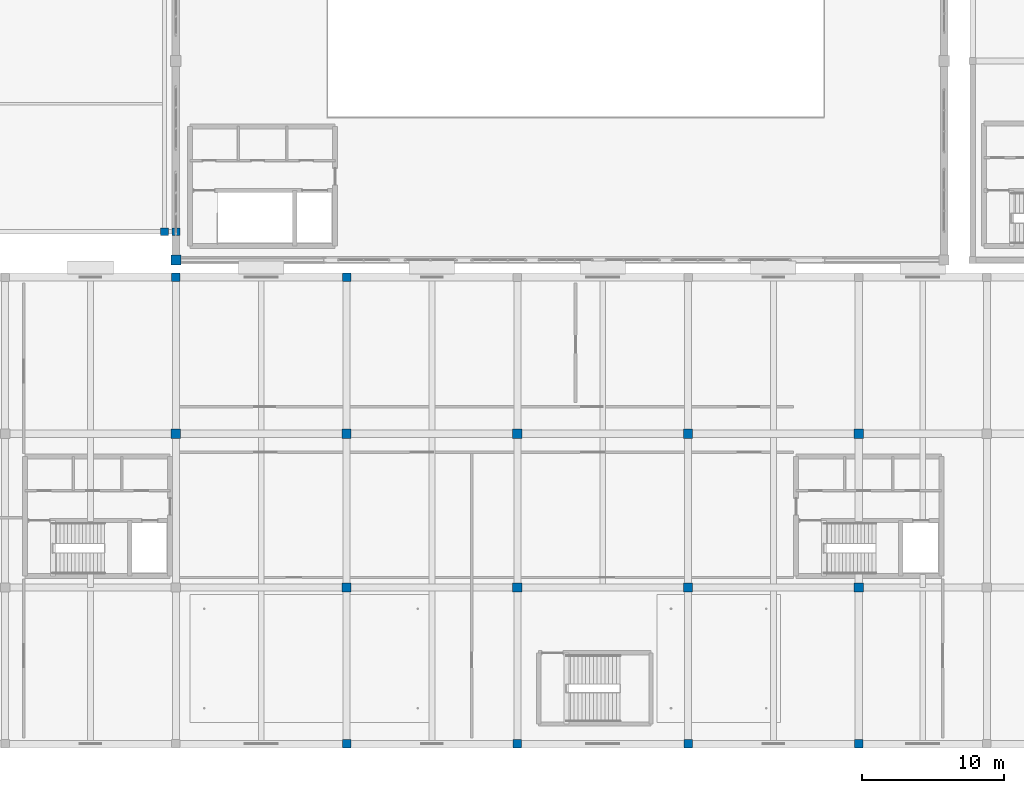
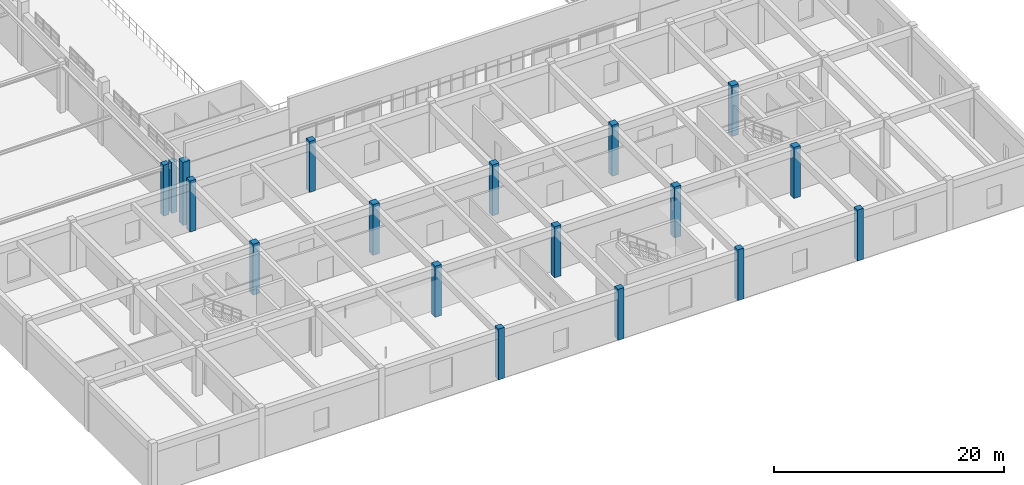
# One storey, part 2 of 197: 18 columns.
"""IFC4 building model written with IfcOpenShell, lengths in metres."""

from ifc_helpers import new_model, si_unit, derived_unit, direction, frame, origin, origin_2d, place, context, subcontext, project, spatial, rectangle, extrude, material, material_profile, profile_set, type_object, element, save


model = new_model("IFC4")

# Units and contexts
model_context = context("Model", 3, precision=1e-05, world=origin(), true_north=direction((0.0, 1.0)))
body_context = subcontext(model_context, "Body", "Model", "MODEL_VIEW")
ifc_project = project(units=[si_unit("LENGTHUNIT", "METRE"), si_unit("AREAUNIT", "SQUARE_METRE"), si_unit("VOLUMEUNIT", "CUBIC_METRE"), si_unit("PLANEANGLEUNIT", "RADIAN"), si_unit("MASSUNIT", "GRAM", prefix="KILO"), derived_unit("THERMALTRANSMITTANCEUNIT", [(si_unit("POWERUNIT", "WATT"), 1), (si_unit("LENGTHUNIT", "METRE"), -2), (si_unit("THERMODYNAMICTEMPERATUREUNIT", "KELVIN"), -1)])], contexts=[model_context])

# Site, building, storey
site_placement = place(None, origin())
site = spatial("IfcSite", under=ifc_project, at=site_placement, CompositionType="ELEMENT")
building_placement = place(site_placement, origin())
building = spatial("IfcBuilding", under=site, at=building_placement, Name="Almenara Railside Exhibition Hall", CompositionType="ELEMENT")
storey_placement = place(building_placement, frame((0.0, 0.0, 5.39990234375)))
storey = spatial("IfcBuildingStorey", under=building, at=storey_placement, Name="L01", CompositionType="ELEMENT", Elevation=5.39990234375)

# Columns
ifc_material_1 = material(Name="Concrete C35/45", Category="concrete")
ifc_material_profile_1 = material_profile(ifc_material_1, rectangle(XDim=0.550048828125, YDim=0.550048828125, at=origin_2d()), Name="RC 550x550")
ifc_profile_set_1 = profile_set([ifc_material_profile_1], Name="Concrete C35/45")
column_type_1 = type_object("IfcColumnType", Name="RC Column 550x550 C35/45", PredefinedType="COLUMN", material=ifc_profile_set_1)
for number, where, z_axis, x_axis, name in (
    (1, (138.0, 36.0, 0.0), (0.0, 0.0, 1.0), (1.0, 0.0, 0.0), "Column 0238"),
    (2, (137.199951171875, 36.0, 0.0), (0.0, 0.0, 1.0), (1.0, 0.0, 0.0), "Column 0502"),
):
    element("IfcColumn", number, at=place(storey_placement, frame(where, z_axis=z_axis, x_axis=x_axis)), inside=storey, type_object=column_type_1, Name=name, PredefinedType="COLUMN", context=body_context, shape_type="SweptSolid", body=[
        extrude(rectangle(XDim=0.550048828125, YDim=0.550048828125, at=origin_2d()), origin(), (0.0, 0.0, 1.0), 5.400146484375),
    ])
ifc_material_profile_2 = material_profile(ifc_material_1, rectangle(XDim=0.60009765625, YDim=0.60009765625, at=origin_2d()), Name="RC 600x600")
ifc_profile_set_2 = profile_set([ifc_material_profile_2], Name="Concrete C35/45")
column_type_2 = type_object("IfcColumnType", Name="RC Column 600x600 C35/45", PredefinedType="COLUMN", material=ifc_profile_set_2)
for number, where, z_axis, x_axis, name in (
    (3, (138.0, 32.800048828125, 0.0), (0.0, 0.0, 1.0), (1.0, 0.0, 0.0), "Column 0337"),
    (4, (150.0, 0.0, 0.0), (0.0, 0.0, 1.0), (1.0, 0.0, 0.0), "Column 0341"),
    (5, (150.0, 32.800048828125, 0.0), (0.0, 0.0, 1.0), (1.0, 0.0, 0.0), "Column 0356"),
    (6, (162.0, 0.0, 0.0), (0.0, 0.0, 1.0), (1.0, 0.0, 0.0), "Column 0360"),
    (7, (174.0, 0.0, 0.0), (0.0, 0.0, 1.0), (1.0, 0.0, 0.0), "Column 0379"),
    (8, (186.0, 0.0, 0.0), (0.0, 0.0, 1.0), (1.0, 0.0, 0.0), "Column 0398"),
):
    element("IfcColumn", number, at=place(storey_placement, frame(where, z_axis=z_axis, x_axis=x_axis)), inside=storey, type_object=column_type_2, Name=name, PredefinedType="COLUMN", context=body_context, shape_type="SweptSolid", body=[
        extrude(rectangle(XDim=0.60009765625, YDim=0.60009765625, at=origin_2d()), origin(), (0.0, 0.0, 1.0), 5.400146484375),
    ])
ifc_material_profile_3 = material_profile(ifc_material_1, rectangle(XDim=0.64990234375, YDim=0.64990234375, at=origin_2d()), Name="RC 650x650")
ifc_profile_set_3 = profile_set([ifc_material_profile_3], Name="Concrete C35/45")
column_type_3 = type_object("IfcColumnType", Name="RC Column 650x650 C35/45", PredefinedType="COLUMN", material=ifc_profile_set_3)
for number, where, z_axis, x_axis, name in (
    (9, (138.0, 21.800048828125, 0.0), (0.0, 0.0, 1.0), (1.0, 0.0, 0.0), "Column 0332"),
    (10, (150.0, 11.0, 0.0), (0.0, 0.0, 1.0), (1.0, 0.0, 0.0), "Column 0346"),
    (11, (150.0, 21.800048828125, 0.0), (0.0, 0.0, 1.0), (1.0, 0.0, 0.0), "Column 0351"),
    (12, (162.0, 11.0, 0.0), (0.0, 0.0, 1.0), (1.0, 0.0, 0.0), "Column 0365"),
    (13, (162.0, 21.800048828125, 0.0), (0.0, 0.0, 1.0), (1.0, 0.0, 0.0), "Column 0370"),
    (14, (174.0, 11.0, 0.0), (0.0, 0.0, 1.0), (1.0, 0.0, 0.0), "Column 0384"),
    (15, (174.0, 21.800048828125, 0.0), (0.0, 0.0, 1.0), (1.0, 0.0, 0.0), "Column 0389"),
    (16, (186.0, 11.0, 0.0), (0.0, 0.0, 1.0), (1.0, 0.0, 0.0), "Column 0403"),
    (17, (186.0, 21.800048828125, 0.0), (0.0, 0.0, 1.0), (1.0, 0.0, 0.0), "Column 0408"),
):
    element("IfcColumn", number, at=place(storey_placement, frame(where, z_axis=z_axis, x_axis=x_axis)), inside=storey, type_object=column_type_3, Name=name, PredefinedType="COLUMN", context=body_context, shape_type="SweptSolid", body=[
        extrude(rectangle(XDim=0.64990234375, YDim=0.64990234375, at=origin_2d()), origin(), (0.0, 0.0, 1.0), 5.400146484375),
    ])
ifc_material_2 = material(Name="Concrete C40/50", Category="concrete")
ifc_material_profile_4 = material_profile(ifc_material_2, rectangle(XDim=0.699951171875, YDim=0.699951171875, at=origin_2d()), Name="RC 700x700")
ifc_profile_set_4 = profile_set([ifc_material_profile_4], Name="Concrete C40/50")
column_type_4 = type_object("IfcColumnType", Name="RC Column 700x700 C40/50", PredefinedType="COLUMN", material=ifc_profile_set_4)
column_placement = place(storey_placement, frame((138.0, 34.0, 0.0), z_axis=(0.0, 0.0, 1.0), x_axis=(1.0, 0.0, 0.0)))
element("IfcColumn", 18, at=column_placement, inside=storey, type_object=column_type_4, Name="Column 0086", PredefinedType="COLUMN", context=body_context, shape_type="SweptSolid", body=[
    extrude(rectangle(XDim=0.699951171875, YDim=0.699951171875, at=origin_2d()), origin(), (0.0, 0.0, 1.0), 6.7001953125),
])

save(model, "model.ifc")
